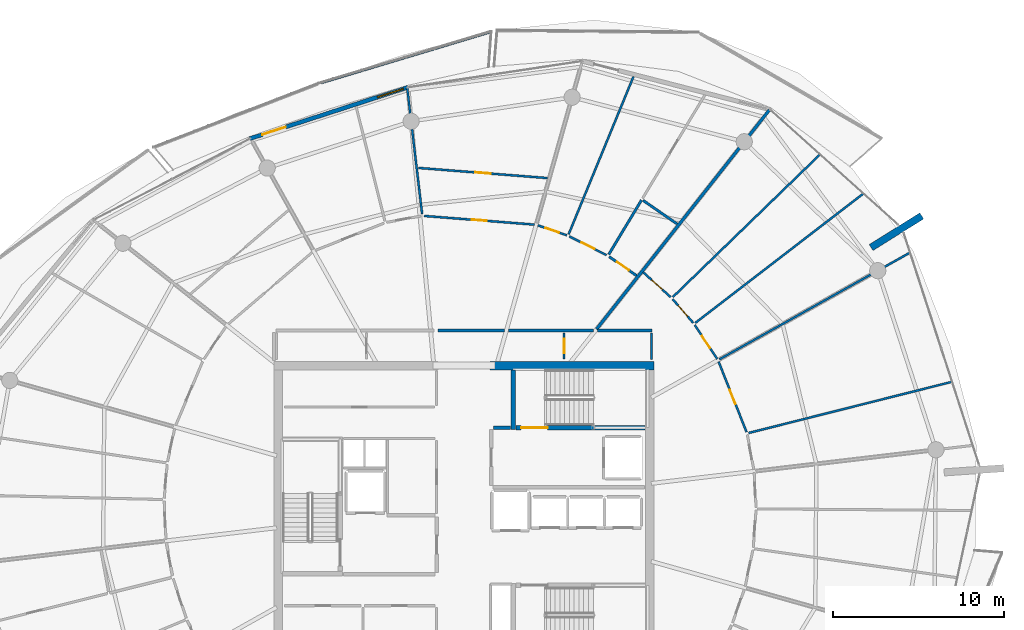
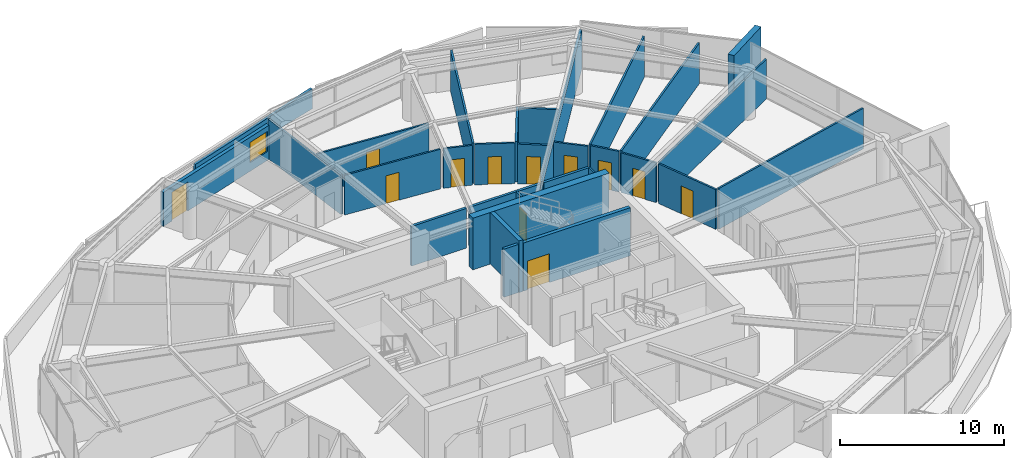
# One storey, part 22 of 30: 30 walls, 12 doors, 1 window, 13 openings.
"""IFC4 building model written with IfcOpenShell, lengths in metres."""

from ifc_helpers import new_model, si_unit, direction, frame, frame_2d, origin, place, context, subcontext, project, spatial, polyline, rectangle, outline, extrude, material, layer, layer_set, type_object, element, fill, save


model = new_model("IFC4")

# Units and contexts
model_context = context("Model", 3, precision=1e-05, world=origin(), true_north=direction((0.0, 1.0)))
body_context = subcontext(model_context, "Body", "Model", "MODEL_VIEW")
ifc_project = project(units=[si_unit("LENGTHUNIT", "METRE"), si_unit("AREAUNIT", "SQUARE_METRE"), si_unit("VOLUMEUNIT", "CUBIC_METRE"), si_unit("PLANEANGLEUNIT", "RADIAN"), si_unit("MASSUNIT", "GRAM", prefix="KILO")], contexts=[model_context])

# Site, building, storey
site_placement = place(None, origin())
site = spatial("IfcSite", under=ifc_project, at=site_placement, CompositionType="ELEMENT")
building_placement = place(site_placement, origin())
building = spatial("IfcBuilding", under=site, at=building_placement, Name="Kazma Halo Residences", CompositionType="ELEMENT")
storey_placement = place(building_placement, frame((0.0, 0.0, 290.60009765625)))
storey = spatial("IfcBuildingStorey", under=building, at=storey_placement, Name="L73", CompositionType="ELEMENT", Elevation=290.60009765625)

# Walls
ifc_material_1 = material(Name="White Concrete C50/60 Balustrade", Category="concrete")
ifc_layer_1 = layer(ifc_material_1, 0.179931640625)
ifc_layer_set_1 = layer_set([ifc_layer_1], Name="White Concrete C50/60 Balustrade")
wall_type_1 = type_object("IfcWallType", Name="WL-BAL-WAVE-180", PredefinedType="PARAPET", material=ifc_layer_set_1)
wall_1_placement = place(storey_placement, frame((50.019775390625, 69.83642578125, 0.0), z_axis=(0.0, 0.0, 1.0), x_axis=(-0.957650459476, -0.287933321214, 0.0)))
element("IfcWall", 1, at=wall_1_placement, inside=storey, type_object=wall_type_1, Name="L73 white wave balustrade wall NNW.1", PredefinedType="PARAPET", context=body_context, shape_type="SweptSolid", body=[
    extrude(outline(polyline([(0.0, 0.0), (10.405517578125, 0.0), (10.405517578125, 1.14794921875), (5.20263671875, 1.283935546875), (0.0, 1.48291015625), (0.0, 0.0)])), frame((0.0, 0.08984375, 0.0), z_axis=(0.0, -1.0, 0.0), x_axis=(1.0, 0.0, 0.0)), (0.0, 0.0, 1.0), 0.179931640625),
])
ifc_material_2 = material(Name="Pale Concrete C60/75", Category="concrete")
ifc_layer_2 = layer(ifc_material_2, 0.419921875)
ifc_layer_set_2 = layer_set([ifc_layer_2], Name="Pale Concrete C60/75")
wall_type_2 = type_object("IfcWallType", Name="WL-BLADE-420", PredefinedType="SOLIDWALL", material=ifc_layer_set_2)
wall_2_placement = place(storey_placement, frame((72.281494140625, 57.172607421875, 0.0), z_axis=(0.0, 0.0, 1.0), x_axis=(0.848033572426, 0.529942506352, 0.0)))
element("IfcWall", 2, at=wall_2_placement, inside=storey, type_object=wall_type_2, Name="L73 pale concrete structural blade fin wall BW-01", PredefinedType="SOLIDWALL", context=body_context, shape_type="SweptSolid", body=[
    extrude(rectangle(XDim=3.5, YDim=0.419921875, at=frame_2d((1.75, 0.0))), origin(), (0.0, 0.0, 1.0), 3.849853515625),
])
ifc_material_3 = material(Name="Concrete C60/75", Category="concrete")
ifc_layer_3 = layer(ifc_material_3, 0.5)
ifc_layer_set_3 = layer_set([ifc_layer_3], Name="Concrete C60/75")
wall_type_3 = type_object("IfcWallType", Name="WL-CORE-500", PredefinedType="SHEAR", material=ifc_layer_set_3)
wall_3_placement = place(storey_placement, frame((49.949951171875, 50.25, 0.0), z_axis=(0.0, 0.0, 1.0), x_axis=(1.0, 0.0, 0.0)))
element("IfcWall", 3, at=wall_3_placement, inside=storey, type_object=wall_type_3, Name="L73 central core shear wall NE", PredefinedType="SHEAR", context=body_context, shape_type="SweptSolid", body=[
    extrude(rectangle(XDim=9.60009765625, YDim=0.5, at=frame_2d((4.800048828125, 0.0))), origin(), (0.0, 0.0, 1.0), 3.849853515625),
])
ifc_layer_4 = layer(ifc_material_3, 0.280029296875)
ifc_layer_set_4 = layer_set([ifc_layer_4], Name="Concrete C60/75")
wall_type_4 = type_object("IfcWallType", Name="WL-CORE-ST-280", PredefinedType="SHEAR", material=ifc_layer_set_4)
wall_4_placement = place(storey_placement, frame((51.31005859375, 46.5, 0.0), z_axis=(0.0, 0.0, 1.0), x_axis=(0.0, 1.0, 0.0)))
element("IfcWall", 4, at=wall_4_placement, inside=storey, type_object=wall_type_4, Name="L73 stairwell bearing wall ST02-W", PredefinedType="SHEAR", context=body_context, shape_type="SweptSolid", body=[
    extrude(rectangle(XDim=3.5, YDim=0.280029296875, at=frame_2d((1.75, 0.0))), origin(), (0.0, 0.0, 1.0), 3.849853515625),
])
ifc_material_4 = material(Name="Acoustic Twin-Stud Gypsum")
ifc_layer_5 = layer(ifc_material_4, 0.179931640625)
ifc_layer_set_5 = layer_set([ifc_layer_5], Name="Acoustic Twin-Stud Gypsum")
wall_type_5 = type_object("IfcWallType", Name="WL-DEM-180", PredefinedType="PARTITIONING", material=ifc_layer_set_5)
wall_5_placement = place(storey_placement, frame((56.18798828125, 52.386474609375, 0.0), z_axis=(0.0, 0.0, 1.0), x_axis=(0.619097230176, 0.785314344443, 0.0)))
element("IfcWall", 5, at=wall_5_placement, inside=storey, type_object=wall_type_5, Name="L73 apartment demising radial wall 01", PredefinedType="PARTITIONING", context=body_context, shape_type="SweptSolid", body=[
    extrude(rectangle(XDim=16.369873046875, YDim=0.179931640625, at=frame_2d((8.18505859375, 0.0))), origin(), (0.0, 0.0, 1.0), 2.956787109375),
])
wall_6_placement = place(storey_placement, frame((56.0, 52.300048828125, 0.0), z_axis=(0.0, 0.0, 1.0), x_axis=(-1.0, 0.0, 0.0)))
element("IfcWall", 6, at=wall_6_placement, inside=storey, type_object=wall_type_5, Name="L73 Apartment 1 inner wall 1", PredefinedType="PARTITIONING", context=body_context, shape_type="SweptSolid", body=[
    extrude(rectangle(XDim=4.97509765625, YDim=0.179931640625, at=frame_2d((2.487548828125, 0.0))), origin(), (0.0, 0.0, 1.0), 2.956787109375),
])
wall_7_placement = place(storey_placement, frame((50.784912109375, 52.300048828125, 0.0), z_axis=(0.0, 0.0, 1.0), x_axis=(-1.0, 0.0, 0.0)))
element("IfcWall", 7, at=wall_7_placement, inside=storey, type_object=wall_type_5, Name="L73 Apartment 1 inner wall 2", PredefinedType="PARTITIONING", context=body_context, shape_type="SweptSolid", body=[
    extrude(rectangle(XDim=3.884033203125, YDim=0.179931640625, at=frame_2d((1.94189453125, 0.0))), origin(), (0.0, 0.0, 1.0), 2.956787109375),
])
wall_8_placement = place(storey_placement, frame((59.429931640625, 52.300048828125, 0.0), z_axis=(0.0, 0.0, 1.0), x_axis=(-1.0, 0.0, 0.0)))
element("IfcWall", 8, at=wall_8_placement, inside=storey, type_object=wall_type_5, Name="L73 Apartment 2 inner wall 0", PredefinedType="PARTITIONING", context=body_context, shape_type="SweptSolid", body=[
    extrude(rectangle(XDim=3.18994140625, YDim=0.179931640625, at=frame_2d((1.594970703125, 0.0))), origin(), (0.0, 0.0, 1.0), 2.956787109375),
])

# Wall, openings, door, window
ifc_material_5 = material(Name="Insulated Pale-Metal Composite Wall")
ifc_layer_6 = layer(ifc_material_5, 0.239990234375)
ifc_layer_set_6 = layer_set([ifc_layer_6], Name="Insulated Pale-Metal Composite Wall")
wall_type_6 = type_object("IfcWallType", Name="WL-EXT-HOST-240", PredefinedType="SOLIDWALL", material=ifc_layer_set_6)
wall_9_placement = place(storey_placement, frame((45.14208984375, 66.563720703125, 0.0), z_axis=(0.0, 0.0, 1.0), x_axis=(-0.951055974609, -0.309018661507, 0.0)))
wall_9 = element("IfcWall", 9, at=wall_9_placement, inside=storey, type_object=wall_type_6, Name="L73 exterior terrace-access wall B04", PredefinedType="SOLIDWALL", context=body_context, shape_type="SweptSolid", body=[
    extrude(rectangle(XDim=9.745361328125, YDim=0.239990234375, at=frame_2d((4.87255859375, 0.0))), origin(), (0.0, 0.0, 1.0), 2.539794921875),
])
opening_1_placement = place(wall_9_placement, frame((7.525390625, 0.0, 0.0)))
opening_1 = element("IfcOpeningElement", 10, at=opening_1_placement, cuts=wall_9, Name="Opening DTR-1600", PredefinedType="OPENING", context=body_context, shape_type="SweptSolid", body=[
    extrude(rectangle(XDim=1.449951171875, YDim=2.14990234375, at=frame_2d((0.72509765625, 1.074951171875))), frame((0.0, 0.1298828125, 0.0), z_axis=(0.0, -1.0, 0.0), x_axis=(1.0, 0.0, 0.0)), (0.0, 0.0, 1.0), 0.260009765625),
])
opening_2_placement = place(wall_9_placement, frame((0.280029296875, 0.0, 0.64990234375)))
opening_2 = element("IfcOpeningElement", 11, at=opening_2_placement, cuts=wall_9, Name="Opening W-1800", PredefinedType="OPENING", context=body_context, shape_type="SweptSolid", body=[
    extrude(rectangle(XDim=1.60009765625, YDim=1.5, at=frame_2d((0.800048828125, 0.75))), frame((0.0, 0.1298828125, 0.0), z_axis=(0.0, -1.0, 0.0), x_axis=(1.0, 0.0, 0.0)), (0.0, 0.0, 1.0), 0.260009765625),
])
ifc_material_6 = material(Name="Aluminium AW-6063 T6 Double-Glazed Terrace Door", Category="aluminium")
door_type_1 = type_object("IfcDoorType", Name="DR-EXT-TERR-1600", OperationType="NOTDEFINED", PredefinedType="DOOR", material=ifc_material_6)
door_1_placement = place(opening_1_placement, origin())
door_1 = element("IfcDoor", 12, at=door_1_placement, inside=storey, type_object=door_type_1, Name="L73 B04 balcony terrace door", OperationType="DOUBLE_DOOR_SLIDING", OverallHeight=2.14990234375, OverallWidth=1.449951171875, PredefinedType="DOOR", context=body_context, shape_type="SweptSolid", body=[
    extrude(rectangle(XDim=1.449951171875, YDim=2.14990234375, at=frame_2d((0.72509765625, 1.074951171875))), frame((0.0, 0.02490234375, 0.0), z_axis=(0.0, -1.0, 0.0), x_axis=(1.0, 0.0, 0.0)), (0.0, 0.0, 1.0), 0.050048828125),
])
fill(opening_1, door_1)
ifc_material_7 = material(Name="Clear Triple-Silver Low-E Glass in Aluminium AW-6063 T6 Frame", Category="aluminium")
window_type = type_object("IfcWindowType", Name="WIN-RES-1800", PartitioningType="DOUBLE_PANEL_VERTICAL", PredefinedType="WINDOW", material=ifc_material_7)
window_placement = place(opening_2_placement, origin())
window = element("IfcWindow", 13, at=window_placement, inside=storey, type_object=window_type, Name="L73 B04 apartment window", OverallHeight=1.5, OverallWidth=1.60009765625, PartitioningType="SINGLE_PANEL", PredefinedType="WINDOW", context=body_context, shape_type="SweptSolid", body=[
    extrude(rectangle(XDim=1.60009765625, YDim=1.5, at=frame_2d((0.800048828125, 0.75))), frame((0.0, 0.030029296875, 0.0), z_axis=(0.0, -1.0, 0.0), x_axis=(1.0, 0.0, 0.0)), (0.0, 0.0, 1.0), 0.06005859375),
])
fill(opening_2, window)

# Walls
ifc_material_8 = material(Name="Fire-Rated Blockwork Masonry", Category="masonry")
ifc_layer_7 = layer(ifc_material_8, 0.199951171875)
ifc_layer_set_7 = layer_set([ifc_layer_7], Name="Fire-Rated Blockwork Masonry")
wall_type_7 = type_object("IfcWallType", Name="WL-FLB-200", PredefinedType="PARTITIONING", material=ifc_layer_set_7)
wall_10_placement = place(storey_placement, frame((50.139892578125, 46.6201171875, 0.0), z_axis=(0.0, 0.0, 1.0), x_axis=(1.0, 0.0, 0.0)))
element("IfcWall", 14, at=wall_10_placement, inside=storey, type_object=wall_type_7, Name="L73 east firefighting lobby north closure wall", PredefinedType="PARTITIONING", context=body_context, shape_type="SweptSolid", body=[
    extrude(rectangle(XDim=1.02001953125, YDim=0.199951171875, at=frame_2d((0.510009765625, 0.0))), origin(), (0.0, 0.0, 1.0), 3.58984375),
])
ifc_material_9 = material(Name="Gypsum Plasterboard Partition")
ifc_layer_8 = layer(ifc_material_9, 0.125)
ifc_layer_set_8 = layer_set([ifc_layer_8], Name="Gypsum Plasterboard Partition")
wall_type_8 = type_object("IfcWallType", Name="WL-PART-125", PredefinedType="PARTITIONING", material=ifc_layer_set_8)
wall_11_placement = place(storey_placement, frame((59.409912109375, 50.6201171875, 0.0), z_axis=(0.0, 0.0, 1.0), x_axis=(0.0, 1.0, 0.0)))
element("IfcWall", 15, at=wall_11_placement, inside=storey, type_object=wall_type_8, Name="L73 east cupboard end wall", PredefinedType="PARTITIONING", context=body_context, shape_type="SweptSolid", body=[
    extrude(rectangle(XDim=1.539794921875, YDim=0.125, at=frame_2d((0.77001953125, 0.0))), origin(), (0.0, 0.0, 1.0), 3.02978515625),
])

# Wall, opening, door
wall_12_placement = place(storey_placement, frame((54.2900390625, 50.639892578125, 0.0), z_axis=(0.0, 0.0, 1.0), x_axis=(0.0, 1.0, 0.0)))
wall_12 = element("IfcWall", 16, at=wall_12_placement, inside=storey, type_object=wall_type_8, Name="L73 floor metering cupboard door wall", PredefinedType="PARTITIONING", context=body_context, shape_type="SweptSolid", body=[
    extrude(rectangle(XDim=1.52001953125, YDim=0.125, at=frame_2d((0.760009765625, 0.0))), origin(), (0.0, 0.0, 1.0), 3.02978515625),
])
opening_3_placement = place(wall_12_placement, frame((0.3349609375, 0.0, 0.0)))
opening_3 = element("IfcOpeningElement", 17, at=opening_3_placement, cuts=wall_12, Name="Opening DS-850", PredefinedType="OPENING", context=body_context, shape_type="SweptSolid", body=[
    extrude(rectangle(XDim=0.85009765625, YDim=2.06005859375, at=frame_2d((0.425048828125, 1.030029296875))), frame((0.0, 0.072509765625, 0.0), z_axis=(0.0, -1.0, 0.0), x_axis=(1.0, 0.0, 0.0)), (0.0, 0.0, 1.0), 0.14501953125),
])
ifc_material_10 = material(Name="Painted Steel Access Leaf", Category="steel")
door_type_2 = type_object("IfcDoorType", Name="DR-SVC-850", OperationType="NOTDEFINED", PredefinedType="DOOR", material=ifc_material_10)
door_2_placement = place(opening_3_placement, origin())
door_2 = element("IfcDoor", 18, at=door_2_placement, inside=storey, type_object=door_type_2, Name="L73 floor cupboard door", OperationType="SINGLE_SWING_LEFT", OverallHeight=2.06005859375, OverallWidth=0.85009765625, PredefinedType="DOOR", context=body_context, shape_type="SweptSolid", body=[
    extrude(rectangle(XDim=0.85009765625, YDim=2.06005859375, at=frame_2d((0.425048828125, 1.030029296875))), frame((0.0, 0.02490234375, 0.0), z_axis=(0.0, -1.0, 0.0), x_axis=(1.0, 0.0, 0.0)), (0.0, 0.0, 1.0), 0.050048828125),
])
fill(opening_3, door_2)

# Wall
wall_13_placement = place(storey_placement, frame((54.555908203125, 57.947021484375, 0.0), z_axis=(0.0, 0.0, 1.0), x_axis=(0.380247271433, 0.924884864493, 0.0)))
element("IfcWall", 19, at=wall_13_placement, inside=storey, type_object=wall_type_8, Name="L73 Apartment 1 suite divider 1", PredefinedType="PARTITIONING", context=body_context, shape_type="SweptSolid", body=[
    extrude(rectangle(XDim=9.994873046875, YDim=0.125, at=frame_2d((4.99755859375, 0.0))), origin(), (0.0, 0.0, 1.0), 3.02978515625),
])

# Wall, opening, door
wall_14_placement = place(storey_placement, frame((56.77783203125, 56.72802734375, 0.0), z_axis=(0.0, 0.0, 1.0), x_axis=(-0.893226093112, 0.449607769711, 0.0)))
wall_14 = element("IfcWall", 20, at=wall_14_placement, inside=storey, type_object=wall_type_8, Name="L73 Apartment 1 Gourmet Kitchen hall wall", PredefinedType="PARTITIONING", context=body_context, shape_type="SweptSolid", body=[
    extrude(rectangle(XDim=2.44580078125, YDim=0.125, at=frame_2d((1.222900390625, 0.0))), origin(), (0.0, 0.0, 1.0), 3.02978515625),
])
opening_4_placement = place(wall_14_placement, frame((0.7978515625, 0.0, 0.0)))
opening_4 = element("IfcOpeningElement", 21, at=opening_4_placement, cuts=wall_14, Name="Opening DB-900", PredefinedType="OPENING", context=body_context, shape_type="SweptSolid", body=[
    extrude(rectangle(XDim=0.85009765625, YDim=2.06005859375, at=frame_2d((0.425048828125, 1.030029296875))), frame((0.0, 0.072509765625, 0.0), z_axis=(0.0, -1.0, 0.0), x_axis=(1.0, 0.0, 0.0)), (0.0, 0.0, 1.0), 0.14501953125),
])
ifc_material_11 = material(Name="Moisture-Sealed Timber Leaf", Category="wood")
door_type_3 = type_object("IfcDoorType", Name="DR-BTH-900", OperationType="NOTDEFINED", PredefinedType="DOOR", material=ifc_material_11)
door_3_placement = place(opening_4_placement, origin())
door_3 = element("IfcDoor", 22, at=door_3_placement, inside=storey, type_object=door_type_3, Name="L73 Apartment 1 Gourmet Kitchen door", OperationType="SINGLE_SWING_LEFT", OverallHeight=2.06005859375, OverallWidth=0.85009765625, PredefinedType="DOOR", context=body_context, shape_type="SweptSolid", body=[
    extrude(rectangle(XDim=0.85009765625, YDim=2.06005859375, at=frame_2d((0.425048828125, 1.030029296875))), frame((0.0, 0.02490234375, 0.0), z_axis=(0.0, -1.0, 0.0), x_axis=(1.0, 0.0, 0.0)), (0.0, 0.0, 1.0), 0.050048828125),
])
fill(opening_4, door_3)

wall_15_placement = place(storey_placement, frame((54.4462890625, 57.889892578125, 0.0), z_axis=(0.0, 0.0, 1.0), x_axis=(-0.945268821385, 0.326292591576, 0.0)))
wall_15 = element("IfcWall", 23, at=wall_15_placement, inside=storey, type_object=wall_type_8, Name="L73 Apartment 1 Primary Bedroom hall wall", PredefinedType="PARTITIONING", context=body_context, shape_type="SweptSolid", body=[
    extrude(rectangle(XDim=1.794189453125, YDim=0.125, at=frame_2d((0.89697265625, 0.0))), origin(), (0.0, 0.0, 1.0), 2.956787109375),
])
opening_5_placement = place(wall_15_placement, frame((0.47216796875, 0.0, 0.0)))
opening_5 = element("IfcOpeningElement", 24, at=opening_5_placement, cuts=wall_15, Name="Opening DB-900", PredefinedType="OPENING", context=body_context, shape_type="SweptSolid", body=[
    extrude(rectangle(XDim=0.85009765625, YDim=2.06005859375, at=frame_2d((0.425048828125, 1.030029296875))), frame((0.0, 0.072509765625, 0.0), z_axis=(0.0, -1.0, 0.0), x_axis=(1.0, 0.0, 0.0)), (0.0, 0.0, 1.0), 0.14501953125),
])
door_4_placement = place(opening_5_placement, origin())
door_4 = element("IfcDoor", 25, at=door_4_placement, inside=storey, type_object=door_type_3, Name="L73 Apartment 1 Primary Bedroom door", OperationType="SINGLE_SWING_RIGHT", OverallHeight=2.06005859375, OverallWidth=0.85009765625, PredefinedType="DOOR", context=body_context, shape_type="SweptSolid", body=[
    extrude(rectangle(XDim=0.85009765625, YDim=2.06005859375, at=frame_2d((0.425048828125, 1.030029296875))), frame((0.0, 0.02490234375, 0.0), z_axis=(0.0, -1.0, 0.0), x_axis=(1.0, 0.0, 0.0)), (0.0, 0.0, 1.0), 0.050048828125),
])
fill(opening_5, door_4)

wall_16_placement = place(storey_placement, frame((52.5458984375, 58.5166015625, 0.0), z_axis=(0.0, 0.0, 1.0), x_axis=(-0.996917123382, 0.078461768451, 0.0)))
wall_16 = element("IfcWall", 26, at=wall_16_placement, inside=storey, type_object=wall_type_8, Name="L73 Apartment 1 Primary Study hall wall", PredefinedType="PARTITIONING", context=body_context, shape_type="SweptSolid", body=[
    extrude(rectangle(XDim=6.47216796875, YDim=0.125, at=frame_2d((3.236083984375, 0.0))), origin(), (0.0, 0.0, 1.0), 2.956787109375),
])
opening_6_placement = place(wall_16_placement, frame((2.7861328125, 0.0, 0.0)))
opening_6 = element("IfcOpeningElement", 27, at=opening_6_placement, cuts=wall_16, Name="Opening DI-950", PredefinedType="OPENING", context=body_context, shape_type="SweptSolid", body=[
    extrude(rectangle(XDim=0.89990234375, YDim=2.080078125, at=frame_2d((0.449951171875, 1.0400390625))), frame((0.0, 0.072509765625, 0.0), z_axis=(0.0, -1.0, 0.0), x_axis=(1.0, 0.0, 0.0)), (0.0, 0.0, 1.0), 0.14501953125),
])
ifc_material_12 = material(Name="Timber Veneer Flush Leaf", Category="wood")
door_type_4 = type_object("IfcDoorType", Name="DR-INT-950", OperationType="NOTDEFINED", PredefinedType="DOOR", material=ifc_material_12)
door_5_placement = place(opening_6_placement, origin())
door_5 = element("IfcDoor", 28, at=door_5_placement, inside=storey, type_object=door_type_4, Name="L73 Apartment 1 Primary Study door", OperationType="SINGLE_SWING_RIGHT", OverallHeight=2.080078125, OverallWidth=0.89990234375, PredefinedType="DOOR", context=body_context, shape_type="SweptSolid", body=[
    extrude(rectangle(XDim=0.89990234375, YDim=2.080078125, at=frame_2d((0.449951171875, 1.0400390625))), frame((0.0, 0.02490234375, 0.0), z_axis=(0.0, -1.0, 0.0), x_axis=(1.0, 0.0, 0.0)), (0.0, 0.0, 1.0), 0.050048828125),
])
fill(opening_6, door_5)

wall_17_placement = place(storey_placement, frame((53.31494140625, 61.243408203125, 0.0), z_axis=(0.0, 0.0, 1.0), x_axis=(-0.996917808025, 0.07845306905, 0.0)))
wall_17 = element("IfcWall", 29, at=wall_17_placement, inside=storey, type_object=wall_type_8, Name="L73 Apartment 1 Secondary Master Bedroom divider wall", PredefinedType="PARTITIONING", context=body_context, shape_type="SweptSolid", body=[
    extrude(rectangle(XDim=7.57763671875, YDim=0.125, at=frame_2d((3.788818359375, 0.0))), origin(), (0.0, 0.0, 1.0), 2.956787109375),
])
opening_7_placement = place(wall_17_placement, frame((3.3388671875, 0.0, 0.0)))
opening_7 = element("IfcOpeningElement", 30, at=opening_7_placement, cuts=wall_17, Name="Opening DI-950", PredefinedType="OPENING", context=body_context, shape_type="SweptSolid", body=[
    extrude(rectangle(XDim=0.89990234375, YDim=2.080078125, at=frame_2d((0.449951171875, 1.0400390625))), frame((0.0, 0.072509765625, 0.0), z_axis=(0.0, -1.0, 0.0), x_axis=(1.0, 0.0, 0.0)), (0.0, 0.0, 1.0), 0.14501953125),
])
door_6_placement = place(opening_7_placement, origin())
door_6 = element("IfcDoor", 31, at=door_6_placement, inside=storey, type_object=door_type_4, Name="L73 Apartment 1 Secondary Master Bedroom door", OperationType="SINGLE_SWING_LEFT", OverallHeight=2.080078125, OverallWidth=0.89990234375, PredefinedType="DOOR", context=body_context, shape_type="SweptSolid", body=[
    extrude(rectangle(XDim=0.89990234375, YDim=2.080078125, at=frame_2d((0.449951171875, 1.0400390625))), frame((0.0, 0.02490234375, 0.0), z_axis=(0.0, -1.0, 0.0), x_axis=(1.0, 0.0, 0.0)), (0.0, 0.0, 1.0), 0.050048828125),
])
fill(opening_7, door_6)

# Walls
wall_18_placement = place(storey_placement, frame((45.97216796875, 59.13232421875, 0.0), z_axis=(0.0, 0.0, 1.0), x_axis=(-0.117532091281, 0.993069084968, 0.0)))
element("IfcWall", 32, at=wall_18_placement, inside=storey, type_object=wall_type_8, Name="L73 Apartment 1 radial partition 3", PredefinedType="PARTITIONING", context=body_context, shape_type="SweptSolid", body=[
    extrude(rectangle(XDim=7.442626953125, YDim=0.125, at=frame_2d((3.72119140625, 0.0))), origin(), (0.0, 0.0, 1.0), 2.956787109375),
])
wall_19_placement = place(storey_placement, frame((65.102294921875, 46.305419921875, 0.0), z_axis=(0.0, 0.0, 1.0), x_axis=(0.969744651586, 0.244121508108, 0.0)))
element("IfcWall", 33, at=wall_19_placement, inside=storey, type_object=wall_type_8, Name="L73 Apartment 2 mid-bay wall 15", PredefinedType="PARTITIONING", context=body_context, shape_type="SweptSolid", body=[
    extrude(rectangle(XDim=12.27685546875, YDim=0.125, at=frame_2d((6.138427734375, 0.0))), origin(), (0.0, 0.0, 1.0), 3.02978515625),
])

# Wall, opening, door
wall_20_placement = place(storey_placement, frame((64.985595703125, 46.357666015625, 0.0), z_axis=(0.0, 0.0, 1.0), x_axis=(-0.369596956752, 0.929192170414, 0.0)))
wall_20 = element("IfcWall", 34, at=wall_20_placement, inside=storey, type_object=wall_type_8, Name="L73 Apartment 2 East Formal Dining Room hall wall", PredefinedType="PARTITIONING", context=body_context, shape_type="SweptSolid", body=[
    extrude(rectangle(XDim=4.43701171875, YDim=0.125, at=frame_2d((2.218505859375, 0.0))), origin(), (0.0, 0.0, 1.0), 2.956787109375),
])
opening_8_placement = place(wall_20_placement, frame((1.768310546875, 0.0, 0.0)))
opening_8 = element("IfcOpeningElement", 35, at=opening_8_placement, cuts=wall_20, Name="Opening DI-950", PredefinedType="OPENING", context=body_context, shape_type="SweptSolid", body=[
    extrude(rectangle(XDim=0.89990234375, YDim=2.080078125, at=frame_2d((0.449951171875, 1.0400390625))), frame((0.0, 0.072509765625, 0.0), z_axis=(0.0, -1.0, 0.0), x_axis=(1.0, 0.0, 0.0)), (0.0, 0.0, 1.0), 0.14501953125),
])
door_7_placement = place(opening_8_placement, origin())
door_7 = element("IfcDoor", 36, at=door_7_placement, inside=storey, type_object=door_type_4, Name="L73 Apartment 2 East Formal Dining Room door", OperationType="SINGLE_SWING_RIGHT", OverallHeight=2.080078125, OverallWidth=0.89990234375, PredefinedType="DOOR", context=body_context, shape_type="SweptSolid", body=[
    extrude(rectangle(XDim=0.89990234375, YDim=2.080078125, at=frame_2d((0.449951171875, 1.0400390625))), frame((0.0, 0.02490234375, 0.0), z_axis=(0.0, -1.0, 0.0), x_axis=(1.0, 0.0, 0.0)), (0.0, 0.0, 1.0), 0.050048828125),
])
fill(opening_8, door_7)

# Walls
wall_21_placement = place(storey_placement, frame((63.39599609375, 50.622314453125, 0.0), z_axis=(0.0, 0.0, 1.0), x_axis=(0.872499176967, 0.4886155812, 0.0)))
element("IfcWall", 37, at=wall_21_placement, inside=storey, type_object=wall_type_8, Name="L73 Apartment 2 radial partition 0", PredefinedType="PARTITIONING", context=body_context, shape_type="SweptSolid", body=[
    extrude(rectangle(XDim=12.78369140625, YDim=0.125, at=frame_2d((6.391845703125, 0.0))), origin(), (0.0, 0.0, 1.0), 2.956787109375),
])
wall_22_placement = place(storey_placement, frame((61.9775390625, 52.75439453125, 0.0), z_axis=(0.0, 0.0, 1.0), x_axis=(0.792559605076, 0.609794450944, 0.0)))
element("IfcWall", 38, at=wall_22_placement, inside=storey, type_object=wall_type_8, Name="L73 Apartment 2 bay wall 1 0", PredefinedType="PARTITIONING", context=body_context, shape_type="SweptSolid", body=[
    extrude(rectangle(XDim=12.40576171875, YDim=0.125, at=frame_2d((6.202880859375, 0.0))), origin(), (0.0, 0.0, 1.0), 3.02978515625),
])
wall_23_placement = place(storey_placement, frame((60.664794921875, 54.273193359375, 0.0), z_axis=(0.0, 0.0, 1.0), x_axis=(0.718133524399, 0.695905339205, 0.0)))
element("IfcWall", 39, at=wall_23_placement, inside=storey, type_object=wall_type_8, Name="L73 Apartment 2 bay wall 2 0", PredefinedType="PARTITIONING", context=body_context, shape_type="SweptSolid", body=[
    extrude(rectangle(XDim=11.971923828125, YDim=0.125, at=frame_2d((5.98583984375, 0.0))), origin(), (0.0, 0.0, 1.0), 3.02978515625),
])

# Wall, opening, door
wall_24_placement = place(storey_placement, frame((63.2646484375, 50.64013671875, 0.0), z_axis=(0.0, 0.0, 1.0), x_axis=(-0.550634170063, 0.834746674602, 0.0)))
wall_24 = element("IfcWall", 40, at=wall_24_placement, inside=storey, type_object=wall_type_8, Name="L73 Apartment 2 South Master Bedroom hall wall", PredefinedType="PARTITIONING", context=body_context, shape_type="SweptSolid", body=[
    extrude(rectangle(XDim=2.38720703125, YDim=0.125, at=frame_2d((1.193603515625, 0.0))), origin(), (0.0, 0.0, 1.0), 2.956787109375),
])
opening_9_placement = place(wall_24_placement, frame((0.7685546875, 0.0, 0.0)))
opening_9 = element("IfcOpeningElement", 41, at=opening_9_placement, cuts=wall_24, Name="Opening DB-900", PredefinedType="OPENING", context=body_context, shape_type="SweptSolid", body=[
    extrude(rectangle(XDim=0.85009765625, YDim=2.06005859375, at=frame_2d((0.425048828125, 1.030029296875))), frame((0.0, 0.072509765625, 0.0), z_axis=(0.0, -1.0, 0.0), x_axis=(1.0, 0.0, 0.0)), (0.0, 0.0, 1.0), 0.14501953125),
])
door_8_placement = place(opening_9_placement, origin())
door_8 = element("IfcDoor", 42, at=door_8_placement, inside=storey, type_object=door_type_3, Name="L73 Apartment 2 South Master Bedroom door", OperationType="SINGLE_SWING_LEFT", OverallHeight=2.06005859375, OverallWidth=0.85009765625, PredefinedType="DOOR", context=body_context, shape_type="SweptSolid", body=[
    extrude(rectangle(XDim=0.85009765625, YDim=2.06005859375, at=frame_2d((0.425048828125, 1.030029296875))), frame((0.0, 0.02490234375, 0.0), z_axis=(0.0, -1.0, 0.0), x_axis=(1.0, 0.0, 0.0)), (0.0, 0.0, 1.0), 0.050048828125),
])
fill(opening_9, door_8)

wall_25_placement = place(storey_placement, frame((61.85400390625, 52.760009765625, 0.0), z_axis=(0.0, 0.0, 1.0), x_axis=(-0.653948493608, 0.756539072162, 0.0)))
wall_25 = element("IfcWall", 43, at=wall_25_placement, inside=storey, type_object=wall_type_8, Name="L73 Apartment 2 Inner Study hall wall", PredefinedType="PARTITIONING", context=body_context, shape_type="SweptSolid", body=[
    extrude(rectangle(XDim=1.837158203125, YDim=0.125, at=frame_2d((0.91845703125, 0.0))), origin(), (0.0, 0.0, 1.0), 3.02978515625),
])
opening_10_placement = place(wall_25_placement, frame((0.49365234375, 0.0, 0.0)))
opening_10 = element("IfcOpeningElement", 44, at=opening_10_placement, cuts=wall_25, Name="Opening DB-900", PredefinedType="OPENING", context=body_context, shape_type="SweptSolid", body=[
    extrude(rectangle(XDim=0.85009765625, YDim=2.06005859375, at=frame_2d((0.425048828125, 1.030029296875))), frame((0.0, 0.072509765625, 0.0), z_axis=(0.0, -1.0, 0.0), x_axis=(1.0, 0.0, 0.0)), (0.0, 0.0, 1.0), 0.14501953125),
])
door_9_placement = place(opening_10_placement, origin())
door_9 = element("IfcDoor", 45, at=door_9_placement, inside=storey, type_object=door_type_3, Name="L73 Apartment 2 Inner Study door", OperationType="SINGLE_SWING_RIGHT", OverallHeight=2.06005859375, OverallWidth=0.85009765625, PredefinedType="DOOR", context=body_context, shape_type="SweptSolid", body=[
    extrude(rectangle(XDim=0.85009765625, YDim=2.06005859375, at=frame_2d((0.425048828125, 1.030029296875))), frame((0.0, 0.02490234375, 0.0), z_axis=(0.0, -1.0, 0.0), x_axis=(1.0, 0.0, 0.0)), (0.0, 0.0, 1.0), 0.050048828125),
])
fill(opening_10, door_9)

wall_26_placement = place(storey_placement, frame((60.540771484375, 54.26416015625, 0.0), z_axis=(0.0, 0.0, 1.0), x_axis=(-0.742235558018, 0.670139072443, 0.0)))
wall_26 = element("IfcWall", 46, at=wall_26_placement, inside=storey, type_object=wall_type_8, Name="L73 Apartment 2 Outer Master Bedroom hall wall", PredefinedType="PARTITIONING", context=body_context, shape_type="SweptSolid", body=[
    extrude(rectangle(XDim=2.1806640625, YDim=0.125, at=frame_2d((1.09033203125, 0.0))), origin(), (0.0, 0.0, 1.0), 2.956787109375),
])
opening_11_placement = place(wall_26_placement, frame((0.66552734375, 0.0, 0.0)))
opening_11 = element("IfcOpeningElement", 47, at=opening_11_placement, cuts=wall_26, Name="Opening DB-900", PredefinedType="OPENING", context=body_context, shape_type="SweptSolid", body=[
    extrude(rectangle(XDim=0.85009765625, YDim=2.06005859375, at=frame_2d((0.425048828125, 1.030029296875))), frame((0.0, 0.072509765625, 0.0), z_axis=(0.0, -1.0, 0.0), x_axis=(1.0, 0.0, 0.0)), (0.0, 0.0, 1.0), 0.14501953125),
])
door_10_placement = place(opening_11_placement, origin())
door_10 = element("IfcDoor", 48, at=door_10_placement, inside=storey, type_object=door_type_3, Name="L73 Apartment 2 Outer Master Bedroom door", OperationType="SINGLE_SWING_LEFT", OverallHeight=2.06005859375, OverallWidth=0.85009765625, PredefinedType="DOOR", context=body_context, shape_type="SweptSolid", body=[
    extrude(rectangle(XDim=0.85009765625, YDim=2.06005859375, at=frame_2d((0.425048828125, 1.030029296875))), frame((0.0, 0.02490234375, 0.0), z_axis=(0.0, -1.0, 0.0), x_axis=(1.0, 0.0, 0.0)), (0.0, 0.0, 1.0), 0.050048828125),
])
fill(opening_11, door_10)

ifc_material_13 = material(Name="Concrete C50/60", Category="concrete")
ifc_layer_9 = layer(ifc_material_13, 0.25)
ifc_layer_set_9 = layer_set([ifc_layer_9], Name="Concrete C50/60")
wall_type_9 = type_object("IfcWallType", Name="WL-SHF-250", PredefinedType="SOLIDWALL", material=ifc_layer_set_9)
wall_27_placement = place(storey_placement, frame((51.47998046875, 46.6201171875, 0.0), z_axis=(0.0, 0.0, 1.0), x_axis=(1.0, 0.0, 0.0)))
wall_27 = element("IfcWall", 49, at=wall_27_placement, inside=storey, type_object=wall_type_9, Name="L73 exit stair ST-02 enclosure wall", PredefinedType="SOLIDWALL", context=body_context, shape_type="SweptSolid", body=[
    extrude(rectangle(XDim=7.5400390625, YDim=0.25, at=frame_2d((3.77001953125, 0.0))), origin(), (0.0, 0.0, 1.0), 3.58984375),
])
opening_12_placement = place(wall_27_placement, frame((0.300048828125, 0.0, 0.0)))
opening_12 = element("IfcOpeningElement", 50, at=opening_12_placement, cuts=wall_27, Name="Opening D-ST2", PredefinedType="OPENING", context=body_context, shape_type="SweptSolid", body=[
    extrude(rectangle(XDim=1.550048828125, YDim=2.14990234375, at=frame_2d((0.77490234375, 1.074951171875))), frame((0.0, 0.135009765625, 0.0), z_axis=(0.0, -1.0, 0.0), x_axis=(1.0, 0.0, 0.0)), (0.0, 0.0, 1.0), 0.27001953125),
])
ifc_material_14 = material(Name="Fire-Rated Double Steel Leaf", Category="steel")
door_type_5 = type_object("IfcDoorType", Name="DR-FD90-1550", OperationType="NOTDEFINED", PredefinedType="DOOR", material=ifc_material_14)
door_11_placement = place(opening_12_placement, origin())
door_11 = element("IfcDoor", 51, at=door_11_placement, inside=storey, type_object=door_type_5, Name="L73 exit stair ST-02 fire door", OperationType="DOUBLE_DOOR_SINGLE_SWING", OverallHeight=2.14990234375, OverallWidth=1.550048828125, PredefinedType="DOOR", context=body_context, shape_type="SweptSolid", body=[
    extrude(rectangle(XDim=1.550048828125, YDim=2.14990234375, at=frame_2d((0.77490234375, 1.074951171875))), frame((0.0, 0.02490234375, 0.0), z_axis=(0.0, -1.0, 0.0), x_axis=(1.0, 0.0, 0.0)), (0.0, 0.0, 1.0), 0.050048828125),
])
fill(opening_12, door_11)

ifc_material_15 = material(Name="Moisture-Resistant Gypsum")
ifc_layer_10 = layer(ifc_material_15, 0.14990234375)
ifc_layer_set_10 = layer_set([ifc_layer_10], Name="Moisture-Resistant Gypsum")
wall_type_10 = type_object("IfcWallType", Name="WL-WET-150", PredefinedType="PARTITIONING", material=ifc_layer_set_10)
wall_28_placement = place(storey_placement, frame((58.53662109375, 55.526611328125, 0.0), z_axis=(0.0, 0.0, 1.0), x_axis=(-0.822435430251, 0.568858473671, 0.0)))
wall_28 = element("IfcWall", 52, at=wall_28_placement, inside=storey, type_object=wall_type_10, Name="L73 Apartment 1 Guest Bathroom hall wall", PredefinedType="PARTITIONING", context=body_context, shape_type="SweptSolid", body=[
    extrude(rectangle(XDim=1.95068359375, YDim=0.14990234375, at=frame_2d((0.975341796875, 0.0))), origin(), (0.0, 0.0, 1.0), 2.956787109375),
])
opening_13_placement = place(wall_28_placement, frame((0.55029296875, 0.0, 0.0)))
opening_13 = element("IfcOpeningElement", 53, at=opening_13_placement, cuts=wall_28, Name="Opening DB-900", PredefinedType="OPENING", context=body_context, shape_type="SweptSolid", body=[
    extrude(rectangle(XDim=0.85009765625, YDim=2.06005859375, at=frame_2d((0.425048828125, 1.030029296875))), frame((0.0, 0.0849609375, 0.0), z_axis=(0.0, -1.0, 0.0), x_axis=(1.0, 0.0, 0.0)), (0.0, 0.0, 1.0), 0.169921875),
])
door_12_placement = place(opening_13_placement, origin())
door_12 = element("IfcDoor", 54, at=door_12_placement, inside=storey, type_object=door_type_3, Name="L73 Apartment 1 Guest Bathroom door", OperationType="SINGLE_SWING_LEFT", OverallHeight=2.06005859375, OverallWidth=0.85009765625, PredefinedType="DOOR", context=body_context, shape_type="SweptSolid", body=[
    extrude(rectangle(XDim=0.85009765625, YDim=2.06005859375, at=frame_2d((0.425048828125, 1.030029296875))), frame((0.0, 0.02490234375, 0.0), z_axis=(0.0, -1.0, 0.0), x_axis=(1.0, 0.0, 0.0)), (0.0, 0.0, 1.0), 0.050048828125),
])
fill(opening_13, door_12)

# Walls
wall_29_placement = place(storey_placement, frame((60.919921875, 58.550048828125, 0.0), z_axis=(0.0, 0.0, 1.0), x_axis=(-0.822394599949, 0.568917500148, 0.0)))
element("IfcWall", 55, at=wall_29_placement, inside=storey, type_object=wall_type_10, Name="L73 Apartment 1 Guest Bathroom back wall", PredefinedType="PARTITIONING", context=body_context, shape_type="SweptSolid", body=[
    extrude(rectangle(XDim=2.43115234375, YDim=0.14990234375, at=frame_2d((1.215576171875, 0.0))), origin(), (0.0, 0.0, 1.0), 2.956787109375),
])
wall_30_placement = place(storey_placement, frame((56.90478515625, 56.7646484375, 0.0), z_axis=(0.0, 0.0, 1.0), x_axis=(0.516463378785, 0.856309277291, 0.0)))
element("IfcWall", 56, at=wall_30_placement, inside=storey, type_object=wall_type_10, Name="L73 Apartment 1 Guest Bathroom side wall", PredefinedType="PARTITIONING", context=body_context, shape_type="SweptSolid", body=[
    extrude(rectangle(XDim=3.7197265625, YDim=0.14990234375, at=frame_2d((1.85986328125, 0.0))), origin(), (0.0, 0.0, 1.0), 3.02978515625),
])

save(model, "model.ifc")
